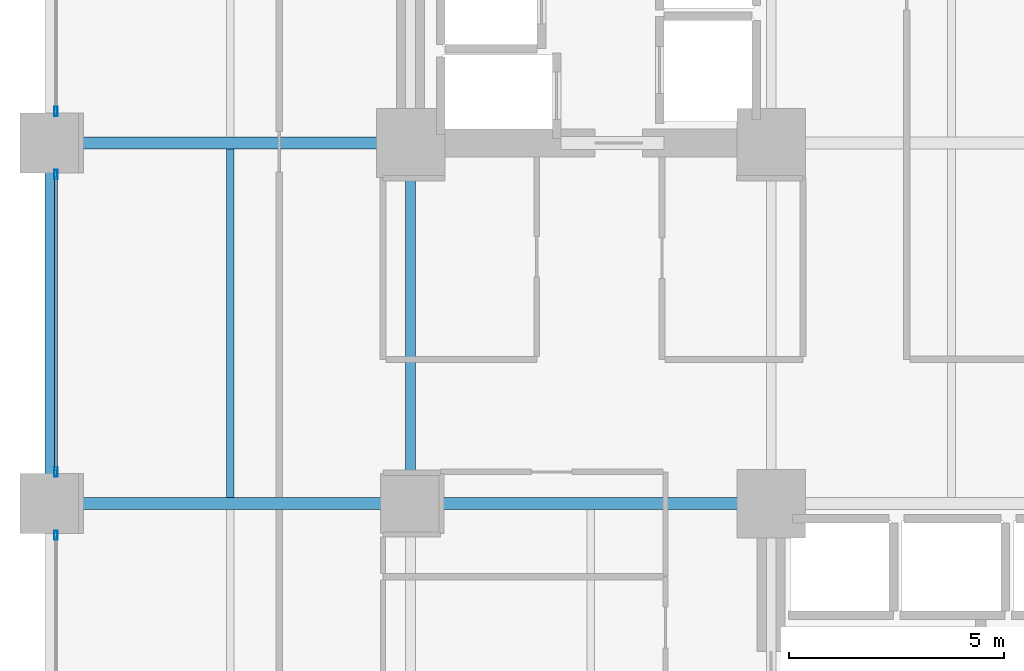
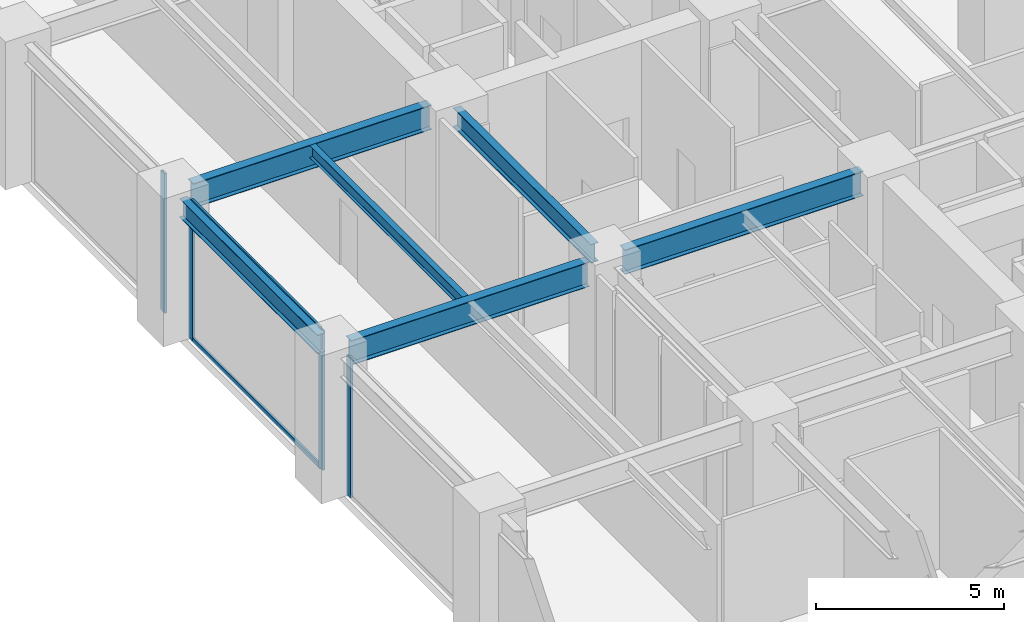
# One storey, part 4 of 24: 6 beams, 6 members, 3 elements without a shape of their own.
"""IFC4 building model written with IfcOpenShell, lengths in metres."""

from ifc_helpers import new_model, si_unit, direction, frame, origin, origin_2d, place, context, subcontext, project, spatial, hollow_rectangle, i_section, extrude, material, layer, layer_set, material_profile, profile_set, type_object, element, aggregate, save


model = new_model("IFC4")

# Units and contexts
model_context = context("Model", 3, precision=1e-05, world=origin(), true_north=direction((0.0, 1.0)))
body_context = subcontext(model_context, "Body", "Model", "MODEL_VIEW")
ifc_project = project(units=[si_unit("LENGTHUNIT", "METRE"), si_unit("AREAUNIT", "SQUARE_METRE"), si_unit("VOLUMEUNIT", "CUBIC_METRE"), si_unit("PLANEANGLEUNIT", "RADIAN"), si_unit("MASSUNIT", "GRAM", prefix="KILO")], contexts=[model_context])

# Site, building, storey
site_placement = place(None, origin())
site = spatial("IfcSite", under=ifc_project, at=site_placement, CompositionType="ELEMENT")
building_placement = place(site_placement, origin())
building = spatial("IfcBuilding", under=site, at=building_placement, Name="Nerrivon Quay Data Exchange", CompositionType="ELEMENT")
storey_placement = place(building_placement, frame((0.0, 0.0, 10.199951171875)))
storey = spatial("IfcBuildingStorey", under=building, at=storey_placement, Name="L02", CompositionType="ELEMENT", Elevation=10.199951171875)

# Beams
ifc_material_1 = material(Name="Steel Grade 350", Category="steel")
ifc_material_profile_1 = material_profile(ifc_material_1, i_section(OverallWidth=0.22900390625, OverallDepth=0.612060546875, WebThickness=0.011962890625, FlangeThickness=0.01953125, FilletRadius=0.013916015625, at=origin_2d()), Name="610UB125")
ifc_profile_set_1 = profile_set([ifc_material_profile_1], Name="Steel Grade 350")
beam_type_1 = type_object("IfcBeamType", Name="BM-G1-610UB125", PredefinedType="BEAM", material=ifc_profile_set_1)
for number, where, z_axis, x_axis, name in (
    (1, (0.0, 17.340087890625, 4.218994140625), (0.0, 1.0, 0.0), (-1.0, 0.0, 0.0), "L02 NS Girder X=0.0 (16.8..25.2)"),
    (2, (8.39990234375, 17.340087890625, 4.218994140625), (0.0, 1.0, 0.0), (-1.0, 0.0, 0.0), "L02 NS Girder X=8.4 (16.8..25.2)"),
):
    element("IfcBeam", number, at=place(storey_placement, frame(where, z_axis=z_axis, x_axis=x_axis)), inside=storey, type_object=beam_type_1, Name=name, PredefinedType="BEAM", context=body_context, shape_type="SweptSolid", body=[
        extrude(i_section(OverallWidth=0.22900390625, OverallDepth=0.612060546875, WebThickness=0.011962890625, FlangeThickness=0.01953125, FilletRadius=0.013916015625, at=origin_2d()), origin(), (0.0, 0.0, 1.0), 7.31982421875),
    ])
ifc_material_profile_2 = material_profile(ifc_material_1, i_section(OverallWidth=0.27490234375, OverallDepth=0.800048828125, WebThickness=0.010009765625, FlangeThickness=0.02001953125, at=origin_2d()), Name="800WB146")
ifc_profile_set_2 = profile_set([ifc_material_profile_2], Name="Steel Grade 350")
beam_type_2 = type_object("IfcBeamType", Name="BM-G8-800WB146", PredefinedType="BEAM", material=ifc_profile_set_2)
for number, where, z_axis, x_axis, name in (
    (3, (0.5400390625, 16.800048828125, 4.125), (1.0, 0.0, 0.0), (0.0, 1.0, 0.0), "L02 EW Girder Y=16.8 (0.0..8.4)"),
    (4, (8.93994140625, 16.800048828125, 4.125), (1.0, 0.0, 0.0), (0.0, 1.0, 0.0), "L02 EW Girder Y=16.8 (8.4..16.8)"),
    (5, (0.5400390625, 25.199951171875, 4.125), (1.0, 0.0, 0.0), (0.0, 1.0, 0.0), "L02 EW Girder Y=25.2 (0.0..8.4)"),
):
    element("IfcBeam", number, at=place(storey_placement, frame(where, z_axis=z_axis, x_axis=x_axis)), inside=storey, type_object=beam_type_2, Name=name, PredefinedType="BEAM", context=body_context, shape_type="SweptSolid", body=[
        extrude(i_section(OverallWidth=0.27490234375, OverallDepth=0.800048828125, WebThickness=0.010009765625, FlangeThickness=0.02001953125, at=origin_2d()), origin(), (0.0, 0.0, 1.0), 7.320068359375),
    ])
ifc_material_profile_3 = material_profile(ifc_material_1, i_section(OverallWidth=0.177978515625, OverallDepth=0.403076171875, WebThickness=0.007568359375, FlangeThickness=0.010986328125, FilletRadius=0.011474609375, at=origin_2d()), Name="410UB53.7")
ifc_profile_set_3 = profile_set([ifc_material_profile_3], Name="Steel Grade 350")
beam_type_3 = type_object("IfcBeamType", Name="BM-J2-410UB54", PredefinedType="JOIST", material=ifc_profile_set_3)
beam_placement = place(storey_placement, frame((4.199951171875, 16.9375, 4.323486328125), z_axis=(0.0, 1.0, 0.0), x_axis=(-1.0, 0.0, 0.0)))
element("IfcBeam", 6, at=beam_placement, inside=storey, type_object=beam_type_3, Name="L02 Secondary Joist X=4.2 (16.8..25.2)", PredefinedType="JOIST", context=body_context, shape_type="SweptSolid", body=[
    extrude(i_section(OverallWidth=0.177978515625, OverallDepth=0.403076171875, WebThickness=0.007568359375, FlangeThickness=0.010986328125, FilletRadius=0.011474609375, at=origin_2d()), origin(), (0.0, 0.0, 1.0), 8.125),
])

# Curtain wall, member
ifc_material_2 = material(Name="Anodised aluminium 6063-T6", Category="aluminium")
ifc_layer = layer(ifc_material_2, 0.239990234375)
ifc_layer_set = layer_set([ifc_layer], Name="Anodised aluminium 6063-T6")
curtain_wall_type = type_object("IfcCurtainWallType", Name="CW-SYS-03", PredefinedType="NOTDEFINED", material=ifc_layer_set)
curtain_wall_1_placement = place(storey_placement, origin())
curtain_wall_1 = element("IfcCurtainWall", 7, at=curtain_wall_1_placement, inside=storey, type_object=curtain_wall_type, Name="L02 Unitised Curtain Wall 2", PredefinedType="NOTDEFINED")
ifc_material_profile_4 = material_profile(ifc_material_2, hollow_rectangle(XDim=0.074951171875, YDim=0.219970703125, WallThickness=0.00390625, at=origin_2d()), Name="ALU-MULL-220x75")
ifc_profile_set_4 = profile_set([ifc_material_profile_4], Name="Anodised aluminium 6063-T6")
member_type_1 = type_object("IfcMemberType", Name="CWM-220x75", PredefinedType="MULLION", material=ifc_profile_set_4)
member_1_placement = place(storey_placement, frame((0.139892578125, 16.0625, 0.0), z_axis=(0.0, 0.0, 1.0), x_axis=(-1.0, 0.0, 0.0)))
member_1 = element("IfcMember", 8, at=member_1_placement, type_object=member_type_1, Name="CW03 mullion 2", PredefinedType="MULLION", context=body_context, shape_type="SweptSolid", body=[
    extrude(hollow_rectangle(XDim=0.074951171875, YDim=0.219970703125, WallThickness=0.00390625, at=origin_2d()), origin(), (0.0, 0.0, 1.0), 4.525146484375),
])
aggregate(curtain_wall_1, [member_1])

# Curtain wall, members
curtain_wall_2_placement = place(storey_placement, origin())
curtain_wall_2 = element("IfcCurtainWall", 9, at=curtain_wall_2_placement, inside=storey, type_object=curtain_wall_type, Name="L02 Unitised Curtain Wall 3", PredefinedType="NOTDEFINED")
member_2_placement = place(storey_placement, frame((0.139892578125, 17.53759765625, 0.0), z_axis=(0.0, 0.0, 1.0), x_axis=(-1.0, 0.0, 0.0)))
member_2 = element("IfcMember", 10, at=member_2_placement, type_object=member_type_1, Name="CW03 mullion 1", PredefinedType="MULLION", context=body_context, shape_type="SweptSolid", body=[
    extrude(hollow_rectangle(XDim=0.074951171875, YDim=0.219970703125, WallThickness=0.00390625, at=origin_2d()), origin(), (0.0, 0.0, 1.0), 4.525146484375),
])
member_3_placement = place(storey_placement, frame((0.139892578125, 24.46240234375, 0.0), z_axis=(0.0, 0.0, 1.0), x_axis=(-1.0, 0.0, 0.0)))
member_3 = element("IfcMember", 11, at=member_3_placement, type_object=member_type_1, Name="CW03 mullion 2", PredefinedType="MULLION", context=body_context, shape_type="SweptSolid", body=[
    extrude(hollow_rectangle(XDim=0.074951171875, YDim=0.219970703125, WallThickness=0.00390625, at=origin_2d()), origin(), (0.0, 0.0, 1.0), 4.525146484375),
])

# Curtain wall, member
curtain_wall_3_placement = place(storey_placement, origin())
curtain_wall_3 = element("IfcCurtainWall", 12, at=curtain_wall_3_placement, inside=storey, type_object=curtain_wall_type, Name="L02 Unitised Curtain Wall 4", PredefinedType="NOTDEFINED")
member_4_placement = place(storey_placement, frame((0.139892578125, 25.9375, 0.0), z_axis=(0.0, 0.0, 1.0), x_axis=(-1.0, 0.0, 0.0)))
member_4 = element("IfcMember", 13, at=member_4_placement, type_object=member_type_1, Name="CW03 mullion 1", PredefinedType="MULLION", context=body_context, shape_type="SweptSolid", body=[
    extrude(hollow_rectangle(XDim=0.074951171875, YDim=0.219970703125, WallThickness=0.00390625, at=origin_2d()), origin(), (0.0, 0.0, 1.0), 4.525146484375),
])
aggregate(curtain_wall_3, [member_4])

# Member
ifc_material_profile_5 = material_profile(ifc_material_2, hollow_rectangle(XDim=0.06494140625, YDim=0.14990234375, WallThickness=0.00341796875, at=origin_2d()), Name="ALU-TRAN-150x65")
ifc_profile_set_5 = profile_set([ifc_material_profile_5], Name="Anodised aluminium 6063-T6")
member_type_2 = type_object("IfcMemberType", Name="CWT-150x65", PredefinedType="USERDEFINED", material=ifc_profile_set_5)
member_5_placement = place(storey_placement, frame((0.139892578125, 17.574951171875, 0.032470703125), z_axis=(0.0, 1.0, 0.0), x_axis=(-1.0, 0.0, 0.0)))
member_5 = element("IfcMember", 14, at=member_5_placement, type_object=member_type_2, Name="CW03 transom 1.1", ObjectType="TRANSOM", PredefinedType="USERDEFINED", context=body_context, shape_type="SweptSolid", body=[
    extrude(hollow_rectangle(XDim=0.06494140625, YDim=0.14990234375, WallThickness=0.00341796875, at=origin_2d()), origin(), (0.0, 0.0, 1.0), 6.85009765625),
])

member_6_placement = place(storey_placement, frame((0.139892578125, 17.574951171875, 4.492431640625), z_axis=(0.0, 1.0, 0.0), x_axis=(-1.0, 0.0, 0.0)))
member_6 = element("IfcMember", 15, at=member_6_placement, type_object=member_type_2, Name="CW03 transom 1.2", ObjectType="TRANSOM", PredefinedType="USERDEFINED", context=body_context, shape_type="SweptSolid", body=[
    extrude(hollow_rectangle(XDim=0.06494140625, YDim=0.14990234375, WallThickness=0.00341796875, at=origin_2d()), origin(), (0.0, 0.0, 1.0), 6.85009765625),
])

aggregate(curtain_wall_2, [member_2, member_3, member_5, member_6])

save(model, "model.ifc")
